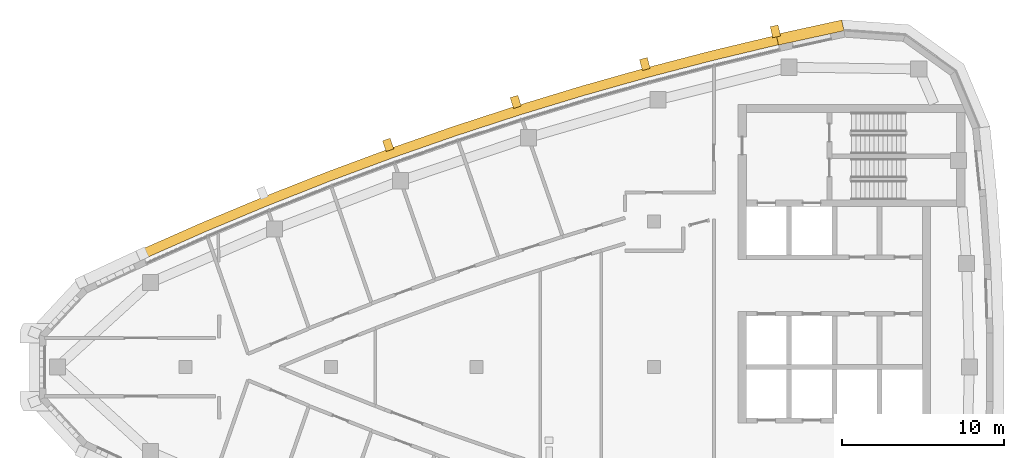
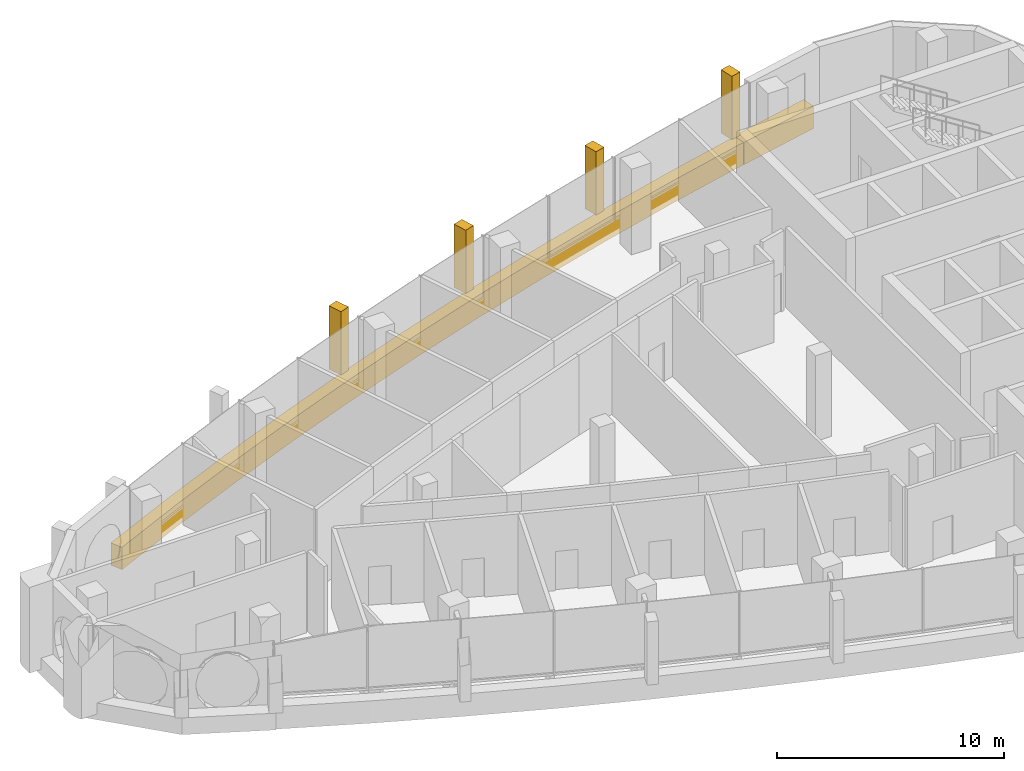
# One storey, part 13 of 15: 6 coverings.
"""IFC4 building model written with IfcOpenShell, lengths in metres."""

import ifcopenshell
import ifcopenshell.guid

model = None  # the IFC model being written
_history = None  # IfcOwnerHistory: only IFC2X3 demands one
_inside = {}  # id of a spatial element -> (the spatial element, [elements in it])
_under = {}  # id of a project, library or spatial element -> (it, [spatial elements below it])
_declared = {}  # id of a project -> (the project, [libraries it declares])
_typed = {}  # id of a type object -> (the type object, [elements of that type])
_made_of = {}  # id of a material, layer set ... -> (it, [elements and type objects made of it])


def new_model(schema):
    """Start an empty IFC model of exactly this schema.

    Asked for "IFC4X3", IfcOpenShell would pick the latest addendum, in which some entities
    have other attributes; the version numbers below select the first issue.
    IFC2X3 requires an IfcOwnerHistory on every rooted entity: one is made here for all.
    """
    global model, _history
    if schema == "IFC4X3":
        model = ifcopenshell.file(schema_version=(4, 3, 0, 0))
    else:
        model = ifcopenshell.file(schema=schema)
    _inside.clear()
    _under.clear()
    _declared.clear()
    _typed.clear()
    _made_of.clear()
    _history = None
    if model.schema == "IFC2X3":
        org = make("IfcOrganization", Name="unknown")
        user = make(
            "IfcPersonAndOrganization",
            ThePerson=make("IfcPerson", FamilyName="unknown"),
            TheOrganization=org,
        )
        app = make(
            "IfcApplication",
            ApplicationDeveloper=org,
            Version="unknown",
            ApplicationFullName="unknown",
            ApplicationIdentifier="unknown",
        )
        _history = make(
            "IfcOwnerHistory",
            OwningUser=user,
            OwningApplication=app,
            ChangeAction="ADDED",
            CreationDate=0,
        )
    return model


def make(cls, **values):
    """One entity of the class cls with the attributes given. An attribute that is None is left unset."""
    return model.create_entity(
        cls, **{name: value for name, value in values.items() if value is not None}
    )


def rooted(cls, **values):
    """An entity with a GlobalId (a new one), such as an element, a storey or a relation."""
    return make(cls, GlobalId=ifcopenshell.guid.new(), OwnerHistory=_history, **values)


def si_unit(unit_type, name, prefix=None):
    """IfcSIUnit, for example si_unit("LENGTHUNIT", "METRE", prefix="MILLI")."""
    return make("IfcSIUnit", UnitType=unit_type, Prefix=prefix, Name=name)


def assignment(units):
    """IfcUnitAssignment: the units of a project."""
    return None if units is None else make("IfcUnitAssignment", Units=units)


def point(xyz):
    """IfcCartesianPoint."""
    return None if xyz is None else make("IfcCartesianPoint", Coordinates=xyz)


def direction(xyz):
    """IfcDirection."""
    return None if xyz is None else make("IfcDirection", DirectionRatios=xyz)


def frame(location, z_axis=None, x_axis=None):
    """IfcAxis2Placement3D, a coordinate frame: its origin and axes. An axis left out is left unset."""
    return make(
        "IfcAxis2Placement3D",
        Location=point(location),
        Axis=direction(z_axis),
        RefDirection=direction(x_axis),
    )


def frame_2d(location, x_axis=None):
    """IfcAxis2Placement2D, a coordinate frame in the plane: its origin and x axis."""
    return make(
        "IfcAxis2Placement2D", Location=point(location), RefDirection=direction(x_axis)
    )


def origin():
    """The frame at (0, 0, 0) with its axes left unset."""
    return frame((0.0, 0.0, 0.0))


def place(relative_to, where):
    """IfcLocalPlacement: puts the frame where relative to a parent placement (None: the world)."""
    return make(
        "IfcLocalPlacement", PlacementRelTo=relative_to, RelativePlacement=where
    )


def context(
    kind, dimensions, precision=None, world=None, true_north=None, identifier=None
):
    """IfcGeometricRepresentationContext, for example the 3D "Model" context."""
    return make(
        "IfcGeometricRepresentationContext",
        ContextIdentifier=identifier,
        ContextType=kind,
        CoordinateSpaceDimension=dimensions,
        Precision=precision,
        WorldCoordinateSystem=world,
        TrueNorth=true_north,
    )


def subcontext(parent, identifier, kind, view, scale=None):
    """IfcGeometricRepresentationSubContext, for example "Body" below "Model"."""
    return make(
        "IfcGeometricRepresentationSubContext",
        ContextIdentifier=identifier,
        ContextType=kind,
        ParentContext=parent,
        TargetScale=scale,
        TargetView=view,
    )


def project(units=None, contexts=None):
    """IfcProject with its units and contexts."""
    return rooted(
        "IfcProject",
        Name="project",
        RepresentationContexts=contexts,
        UnitsInContext=assignment(units),
    )


def spatial(cls, under=None, at=None, **own):
    """A site, building, storey or space (cls), placed at a placement, below another one or the project."""
    s = rooted(cls, ObjectPlacement=at, **own)
    if under is not None:
        _under.setdefault(under.id(), (under, []))[1].append(s)
    return s


def polyline(points):
    """IfcPolyline through the points."""
    return make("IfcPolyline", Points=[point(p) for p in points])


def profile(cls, at=None, kind="AREA", **sizes):
    """A parametric profile (cls). Its sizes go by their IFC names, for example OverallWidth=200.0."""
    return make(cls, ProfileType=kind, Position=at, **sizes)


def rectangle(**sizes):
    """IfcRectangleProfileDef."""
    return profile("IfcRectangleProfileDef", **sizes)


def outline(outer, holes=None, kind="AREA"):
    """IfcArbitraryClosedProfileDef: a profile drawn as a closed curve; with holes, ...WithVoids."""
    if holes is None:
        return make("IfcArbitraryClosedProfileDef", ProfileType=kind, OuterCurve=outer)
    return make(
        "IfcArbitraryProfileDefWithVoids",
        ProfileType=kind,
        OuterCurve=outer,
        InnerCurves=holes,
    )


def extrude(swept, where, along, depth):
    """IfcExtrudedAreaSolid: the profile swept, set in the frame where, extruded along a direction by depth."""
    return make(
        "IfcExtrudedAreaSolid",
        SweptArea=swept,
        Position=where,
        ExtrudedDirection=direction(along),
        Depth=depth,
    )


def shape(context_of_items, identifier, shape_type, items):
    """IfcShapeRepresentation: the items that make up one representation, for example the "Body"."""
    return make(
        "IfcShapeRepresentation",
        ContextOfItems=context_of_items,
        RepresentationIdentifier=identifier,
        RepresentationType=shape_type,
        Items=items,
    )


def material(Name=None, Category=None):
    """IfcMaterial."""
    return make("IfcMaterial", Name=Name, Category=Category)


def layer(
    of_material, thickness, ventilated=None, Name=None, Category=None, Priority=None
):
    """IfcMaterialLayer: one layer of a wall or slab, of a material (None: an air gap)."""
    return make(
        "IfcMaterialLayer",
        Material=of_material,
        LayerThickness=thickness,
        IsVentilated=ventilated,
        Name=Name,
        Category=Category,
        Priority=Priority,
    )


def layer_set(layers, Name=None):
    """IfcMaterialLayerSet."""
    return make("IfcMaterialLayerSet", MaterialLayers=layers, LayerSetName=Name)


def made_of(thing, what):
    """Note that an element or type object is made of a material, layer set ...; save() writes the relation."""
    if what is not None:
        _made_of.setdefault(what.id(), (what, []))[1].append(thing)
    return thing


def type_object(cls, material=None, **own):
    """A type object (cls), such as IfcWallType, which elements share."""
    return made_of(rooted(cls, **own), material)


def element(
    cls,
    number,
    at=None,
    inside=None,
    cuts=None,
    type_object=None,
    material=None,
    context=None,
    identifier="Body",
    shape_type=None,
    held_by="IfcProductDefinitionShape",
    body=None,
    shapes=None,
    **own,
):
    """One element of the class cls, such as IfcWall. Its Tag is "e" and its number.

    at: its placement. inside: the storey or other place that contains it. cuts: it is an
    opening in that element (IfcRelVoidsElement). A single representation is given by context,
    identifier, shape_type and body (its items); several are given by shapes. held_by: the class
    of the entity that holds the representations. save() writes the other relations.
    """
    e = rooted(cls, Tag="e%d" % number, ObjectPlacement=at, **own)
    if body is not None:
        shapes = [shape(context, identifier, shape_type, body)]
    if shapes is not None:
        e.Representation = make(held_by, Representations=shapes)
    if inside is not None:
        _inside.setdefault(inside.id(), (inside, []))[1].append(e)
    if cuts is not None:
        rooted(
            "IfcRelVoidsElement", RelatingBuildingElement=cuts, RelatedOpeningElement=e
        )
    if type_object is not None:
        _typed.setdefault(type_object.id(), (type_object, []))[1].append(e)
    return made_of(e, material)


def aggregate(whole, parts):
    """IfcRelAggregates: a whole, such as a stair, and the parts it consists of."""
    return rooted("IfcRelAggregates", RelatingObject=whole, RelatedObjects=parts)


def save(model, path):
    """Write the relations noted so far, then the file.

    IfcRelAggregates (storeys below a building ...), IfcRelContainedInSpatialStructure (elements
    in a storey), IfcRelDefinesByType, IfcRelAssociatesMaterial and IfcRelDeclares: one each for
    every whole, place, type object, material and project.
    """
    for whole, parts in _under.values():
        aggregate(whole, parts)
    for where, things in _inside.values():
        rooted(
            "IfcRelContainedInSpatialStructure",
            RelatedElements=things,
            RelatingStructure=where,
        )
    for kind, things in _typed.values():
        rooted("IfcRelDefinesByType", RelatedObjects=things, RelatingType=kind)
    for what, things in _made_of.values():
        rooted("IfcRelAssociatesMaterial", RelatedObjects=things, RelatingMaterial=what)
    for by, libraries in _declared.values():
        rooted("IfcRelDeclares", RelatingContext=by, RelatedDefinitions=libraries)
    model.write(path)


model = new_model("IFC4")

# Units and contexts
model_context = context("Model", 3, precision=1e-05, world=origin(), true_north=direction((0.0, 1.0)))
body_context = subcontext(model_context, "Body", "Model", "MODEL_VIEW")
ifc_project = project(units=[si_unit("LENGTHUNIT", "METRE"), si_unit("AREAUNIT", "SQUARE_METRE"), si_unit("VOLUMEUNIT", "CUBIC_METRE"), si_unit("PLANEANGLEUNIT", "RADIAN"), si_unit("MASSUNIT", "GRAM", prefix="KILO")], contexts=[model_context])

# Site, building, storey
site_placement = place(None, origin())
site = spatial("IfcSite", under=ifc_project, at=site_placement, CompositionType="ELEMENT")
building_placement = place(site_placement, origin())
building = spatial("IfcBuilding", under=site, at=building_placement, Name="Ostrand Prow Hotel Tower", CompositionType="ELEMENT")
storey_placement = place(building_placement, frame((0.0, 0.0, 308.60009765625)))
storey = spatial("IfcBuildingStorey", under=building, at=storey_placement, Name="C1", CompositionType="ELEMENT", Elevation=308.60009765625)

# Coverings
ifc_material_1 = material(Name="Bronze anodised aluminium cladding", Category="aluminium")
ifc_layer_1 = layer(ifc_material_1, 0.60009765625)
ifc_layer_set_1 = layer_set([ifc_layer_1], Name="Bronze anodised aluminium cladding")
covering_type_1 = type_object("IfcCoveringType", Name="Bronze spandrel band 1200x600", PredefinedType="CLADDING", material=ifc_layer_set_1)
covering_1_placement = place(storey_placement, frame((0.0, 0.0, -0.300048828125)))
element("IfcCovering", 1, at=covering_1_placement, inside=storey, type_object=covering_type_1, Name="Spandrel band N1", PredefinedType="CLADDING", context=body_context, shape_type="SweptSolid", body=[
    extrude(outline(polyline([(52.55615234375, 20.52880859375), (48.51220703125, 19.56103515625), (44.48828125, 18.51220703125), (40.486328125, 17.382568359375), (36.508056640625, 16.172607421875), (32.5546875, 14.88330078125), (28.62841796875, 13.514404296875), (24.72998046875, 12.067138671875), (20.86181640625, 10.541748046875), (17.02490234375, 8.938720703125), (13.220947265625, 7.25927734375), (13.468994140625, 6.712890625), (17.26171875, 8.3876953125), (21.08740234375, 9.98583984375), (24.944580078125, 11.5068359375), (28.83154296875, 12.949951171875), (32.74658203125, 14.314697265625), (36.6884765625, 15.6005859375), (40.6552734375, 16.806884765625), (44.6455078125, 17.93310546875), (48.65771484375, 18.97900390625), (52.68994140625, 19.94384765625), (52.55615234375, 20.52880859375)])), origin(), (0.0, 0.0, 1.0), 1.199951171875),
])
covering_2_placement = place(storey_placement, frame((0.0, 0.0, -0.300048828125)))
element("IfcCovering", 2, at=covering_2_placement, inside=storey, type_object=covering_type_1, Name="Spandrel band back 5", PredefinedType="CLADDING", context=body_context, shape_type="SweptSolid", body=[
    extrude(outline(polyline([(56.606201171875, 21.476318359375), (52.542236328125, 20.58984375), (52.69384765625, 19.927001953125), (56.744384765625, 20.810546875), (56.606201171875, 21.476318359375)])), origin(), (0.0, 0.0, 1.0), 1.199951171875),
])
ifc_material_2 = material(Name="Limestone cladding", Category="masonry")
ifc_layer_2 = layer(ifc_material_2, 0.5)
ifc_layer_set_2 = layer_set([ifc_layer_2], Name="Limestone cladding")
covering_type_2 = type_object("IfcCoveringType", Name="Precast stone fin 500x600", PredefinedType="CLADDING", material=ifc_layer_set_2)
covering_3_placement = place(storey_placement, frame((52.578369140625, 20.431396484375, 0.89990234375), z_axis=(0.0, 0.0, 1.0), x_axis=(-0.222872153431, 0.974847682064, 0.0)))
element("IfcCovering", 3, at=covering_3_placement, inside=storey, type_object=covering_type_2, Name="Stone fin N 1", PredefinedType="CLADDING", context=body_context, shape_type="SweptSolid", body=[
    extrude(rectangle(XDim=0.699951171875, YDim=0.5, at=frame_2d((0.35009765625, 0.0))), origin(), (0.0, 0.0, 1.0), 3.39990234375),
])
for number, where, z_axis, x_axis, name in (
    (4, (44.514404296875, 18.41552734375, 0.89990234375), (0.0, 0.0, 1.0), (-0.261848568536, 0.965108971648, 0.0), "Stone fin N 3"),
    (5, (36.5380859375, 16.077392578125, 0.89990234375), (0.0, 0.0, 1.0), (-0.30059725976, 0.953751166408, 0.0), "Stone fin N 5"),
):
    element("IfcCovering", number, at=place(storey_placement, frame(where, z_axis=z_axis, x_axis=x_axis)), inside=storey, type_object=covering_type_2, Name=name, PredefinedType="CLADDING", context=body_context, shape_type="SweptSolid", body=[
        extrude(rectangle(XDim=0.7001953125, YDim=0.5, at=frame_2d((0.35009765625, 0.0))), origin(), (0.0, 0.0, 1.0), 3.39990234375),
    ])
covering_4_placement = place(storey_placement, frame((28.662109375, 13.42041015625, 0.89990234375), z_axis=(0.0, 0.0, 1.0), x_axis=(-0.338633021138, 0.940918528352, 0.0)))
element("IfcCovering", 6, at=covering_4_placement, inside=storey, type_object=covering_type_2, Name="Stone fin N 7", PredefinedType="CLADDING", context=body_context, shape_type="SweptSolid", body=[
    extrude(rectangle(XDim=0.699951171875, YDim=0.5, at=frame_2d((0.35009765625, 0.0))), origin(), (0.0, 0.0, 1.0), 3.39990234375),
])

save(model, "model.ifc")
